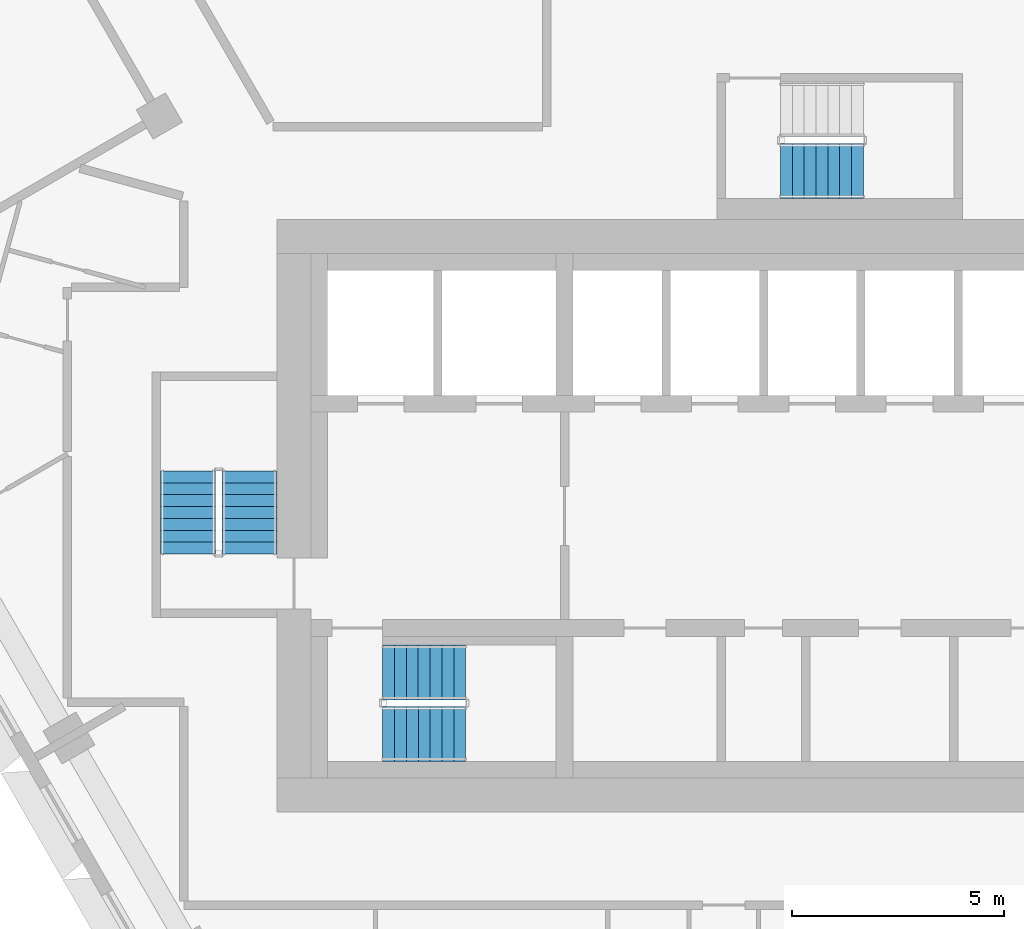
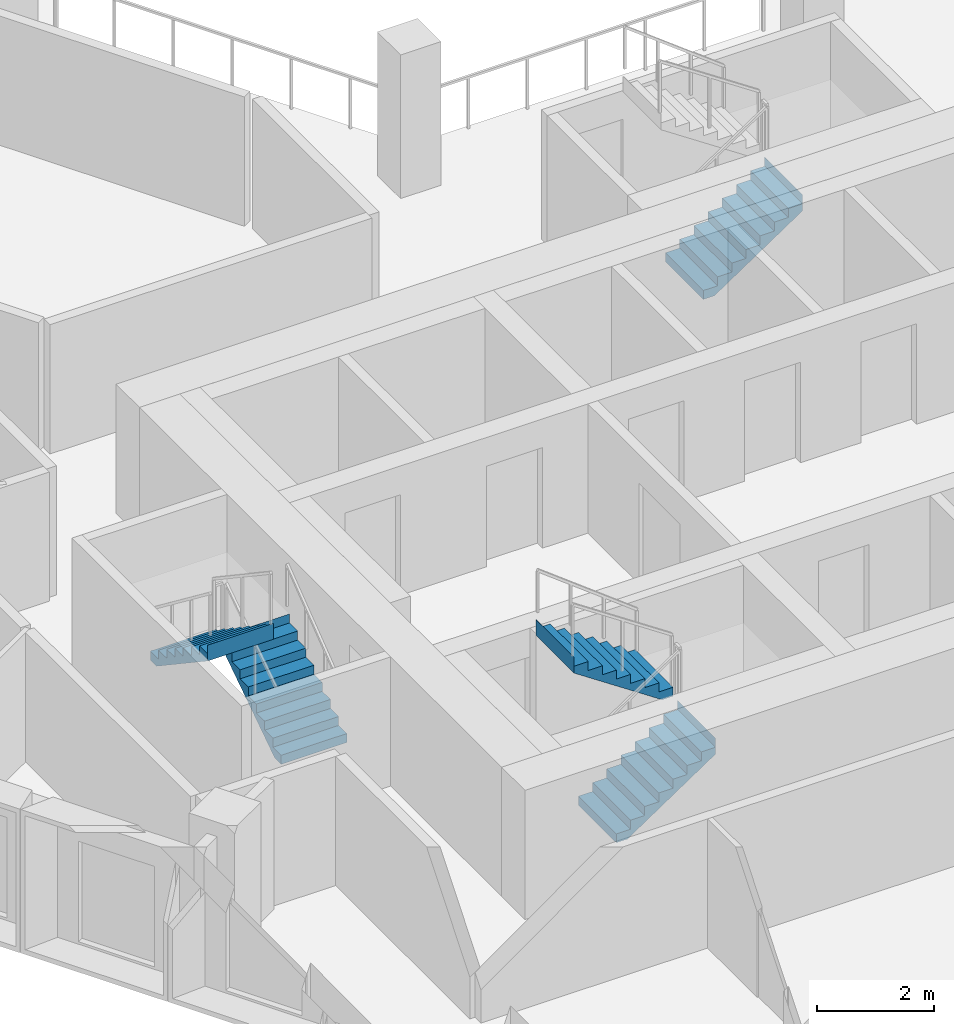
# One storey, part 12 of 17: 5 stair flights, 3 elements without a shape of their own.
"""IFC4 building model written with IfcOpenShell, lengths in metres."""

import ifcopenshell
import ifcopenshell.guid

model = None  # the IFC model being written
_history = None  # IfcOwnerHistory: only IFC2X3 demands one
_inside = {}  # id of a spatial element -> (the spatial element, [elements in it])
_under = {}  # id of a project, library or spatial element -> (it, [spatial elements below it])
_declared = {}  # id of a project -> (the project, [libraries it declares])
_typed = {}  # id of a type object -> (the type object, [elements of that type])
_made_of = {}  # id of a material, layer set ... -> (it, [elements and type objects made of it])


def new_model(schema):
    """Start an empty IFC model of exactly this schema.

    Asked for "IFC4X3", IfcOpenShell would pick the latest addendum, in which some entities
    have other attributes; the version numbers below select the first issue.
    IFC2X3 requires an IfcOwnerHistory on every rooted entity: one is made here for all.
    """
    global model, _history
    if schema == "IFC4X3":
        model = ifcopenshell.file(schema_version=(4, 3, 0, 0))
    else:
        model = ifcopenshell.file(schema=schema)
    _inside.clear()
    _under.clear()
    _declared.clear()
    _typed.clear()
    _made_of.clear()
    _history = None
    if model.schema == "IFC2X3":
        org = make("IfcOrganization", Name="unknown")
        user = make(
            "IfcPersonAndOrganization",
            ThePerson=make("IfcPerson", FamilyName="unknown"),
            TheOrganization=org,
        )
        app = make(
            "IfcApplication",
            ApplicationDeveloper=org,
            Version="unknown",
            ApplicationFullName="unknown",
            ApplicationIdentifier="unknown",
        )
        _history = make(
            "IfcOwnerHistory",
            OwningUser=user,
            OwningApplication=app,
            ChangeAction="ADDED",
            CreationDate=0,
        )
    return model


def make(cls, **values):
    """One entity of the class cls with the attributes given. An attribute that is None is left unset."""
    return model.create_entity(
        cls, **{name: value for name, value in values.items() if value is not None}
    )


def rooted(cls, **values):
    """An entity with a GlobalId (a new one), such as an element, a storey or a relation."""
    return make(cls, GlobalId=ifcopenshell.guid.new(), OwnerHistory=_history, **values)


def si_unit(unit_type, name, prefix=None):
    """IfcSIUnit, for example si_unit("LENGTHUNIT", "METRE", prefix="MILLI")."""
    return make("IfcSIUnit", UnitType=unit_type, Prefix=prefix, Name=name)


def assignment(units):
    """IfcUnitAssignment: the units of a project."""
    return None if units is None else make("IfcUnitAssignment", Units=units)


def point(xyz):
    """IfcCartesianPoint."""
    return None if xyz is None else make("IfcCartesianPoint", Coordinates=xyz)


def direction(xyz):
    """IfcDirection."""
    return None if xyz is None else make("IfcDirection", DirectionRatios=xyz)


def frame(location, z_axis=None, x_axis=None):
    """IfcAxis2Placement3D, a coordinate frame: its origin and axes. An axis left out is left unset."""
    return make(
        "IfcAxis2Placement3D",
        Location=point(location),
        Axis=direction(z_axis),
        RefDirection=direction(x_axis),
    )


def origin():
    """The frame at (0, 0, 0) with its axes left unset."""
    return frame((0.0, 0.0, 0.0))


def place(relative_to, where):
    """IfcLocalPlacement: puts the frame where relative to a parent placement (None: the world)."""
    return make(
        "IfcLocalPlacement", PlacementRelTo=relative_to, RelativePlacement=where
    )


def context(
    kind, dimensions, precision=None, world=None, true_north=None, identifier=None
):
    """IfcGeometricRepresentationContext, for example the 3D "Model" context."""
    return make(
        "IfcGeometricRepresentationContext",
        ContextIdentifier=identifier,
        ContextType=kind,
        CoordinateSpaceDimension=dimensions,
        Precision=precision,
        WorldCoordinateSystem=world,
        TrueNorth=true_north,
    )


def subcontext(parent, identifier, kind, view, scale=None):
    """IfcGeometricRepresentationSubContext, for example "Body" below "Model"."""
    return make(
        "IfcGeometricRepresentationSubContext",
        ContextIdentifier=identifier,
        ContextType=kind,
        ParentContext=parent,
        TargetScale=scale,
        TargetView=view,
    )


def project(units=None, contexts=None):
    """IfcProject with its units and contexts."""
    return rooted(
        "IfcProject",
        Name="project",
        RepresentationContexts=contexts,
        UnitsInContext=assignment(units),
    )


def spatial(cls, under=None, at=None, **own):
    """A site, building, storey or space (cls), placed at a placement, below another one or the project."""
    s = rooted(cls, ObjectPlacement=at, **own)
    if under is not None:
        _under.setdefault(under.id(), (under, []))[1].append(s)
    return s


def point_list(points):
    """IfcCartesianPointList2D or 3D."""
    cls = (
        "IfcCartesianPointList2D" if len(points[0]) == 2 else "IfcCartesianPointList3D"
    )
    return make(cls, CoordList=points)


def triangles(points, corners, closed=None, point_numbers=None):
    """IfcTriangulatedFaceSet: each triangle names its three corners, points numbered from 1."""
    return make(
        "IfcTriangulatedFaceSet",
        Coordinates=point_list(points),
        Closed=closed,
        CoordIndex=corners,
        PnIndex=point_numbers,
    )


def shape(context_of_items, identifier, shape_type, items):
    """IfcShapeRepresentation: the items that make up one representation, for example the "Body"."""
    return make(
        "IfcShapeRepresentation",
        ContextOfItems=context_of_items,
        RepresentationIdentifier=identifier,
        RepresentationType=shape_type,
        Items=items,
    )


def material(Name=None, Category=None):
    """IfcMaterial."""
    return make("IfcMaterial", Name=Name, Category=Category)


def made_of(thing, what):
    """Note that an element or type object is made of a material, layer set ...; save() writes the relation."""
    if what is not None:
        _made_of.setdefault(what.id(), (what, []))[1].append(thing)
    return thing


def type_object(cls, material=None, **own):
    """A type object (cls), such as IfcWallType, which elements share."""
    return made_of(rooted(cls, **own), material)


def element(
    cls,
    number,
    at=None,
    inside=None,
    cuts=None,
    type_object=None,
    material=None,
    context=None,
    identifier="Body",
    shape_type=None,
    held_by="IfcProductDefinitionShape",
    body=None,
    shapes=None,
    **own,
):
    """One element of the class cls, such as IfcWall. Its Tag is "e" and its number.

    at: its placement. inside: the storey or other place that contains it. cuts: it is an
    opening in that element (IfcRelVoidsElement). A single representation is given by context,
    identifier, shape_type and body (its items); several are given by shapes. held_by: the class
    of the entity that holds the representations. save() writes the other relations.
    """
    e = rooted(cls, Tag="e%d" % number, ObjectPlacement=at, **own)
    if body is not None:
        shapes = [shape(context, identifier, shape_type, body)]
    if shapes is not None:
        e.Representation = make(held_by, Representations=shapes)
    if inside is not None:
        _inside.setdefault(inside.id(), (inside, []))[1].append(e)
    if cuts is not None:
        rooted(
            "IfcRelVoidsElement", RelatingBuildingElement=cuts, RelatedOpeningElement=e
        )
    if type_object is not None:
        _typed.setdefault(type_object.id(), (type_object, []))[1].append(e)
    return made_of(e, material)


def aggregate(whole, parts):
    """IfcRelAggregates: a whole, such as a stair, and the parts it consists of."""
    return rooted("IfcRelAggregates", RelatingObject=whole, RelatedObjects=parts)


def save(model, path):
    """Write the relations noted so far, then the file.

    IfcRelAggregates (storeys below a building ...), IfcRelContainedInSpatialStructure (elements
    in a storey), IfcRelDefinesByType, IfcRelAssociatesMaterial and IfcRelDeclares: one each for
    every whole, place, type object, material and project.
    """
    for whole, parts in _under.values():
        aggregate(whole, parts)
    for where, things in _inside.values():
        rooted(
            "IfcRelContainedInSpatialStructure",
            RelatedElements=things,
            RelatingStructure=where,
        )
    for kind, things in _typed.values():
        rooted("IfcRelDefinesByType", RelatedObjects=things, RelatingType=kind)
    for what, things in _made_of.values():
        rooted("IfcRelAssociatesMaterial", RelatedObjects=things, RelatingMaterial=what)
    for by, libraries in _declared.values():
        rooted("IfcRelDeclares", RelatingContext=by, RelatedDefinitions=libraries)
    model.write(path)


model = new_model("IFC4")

# Units and contexts
model_context = context("Model", 3, precision=1e-05, world=origin(), true_north=direction((0.0, 1.0)))
body_context = subcontext(model_context, "Body", "Model", "MODEL_VIEW")
ifc_project = project(units=[si_unit("LENGTHUNIT", "METRE"), si_unit("AREAUNIT", "SQUARE_METRE"), si_unit("VOLUMEUNIT", "CUBIC_METRE"), si_unit("PLANEANGLEUNIT", "RADIAN"), si_unit("MASSUNIT", "GRAM", prefix="KILO")], contexts=[model_context])

# Site, building, storey
site_placement = place(None, origin())
site = spatial("IfcSite", under=ifc_project, at=site_placement, CompositionType="ELEMENT")
building_placement = place(site_placement, origin())
building = spatial("IfcBuilding", under=site, at=building_placement, Name="Beryl Residences", CompositionType="ELEMENT")
storey_placement = place(building_placement, frame((0.0, 0.0, 132.60009765625)))
storey = spatial("IfcBuildingStorey", under=building, at=storey_placement, Name="L40", CompositionType="ELEMENT", Elevation=132.60009765625)

# Stair, stair flights
ifc_material_1 = material(Name="Concrete C40/50", Category="concrete")
stair_type = type_object("IfcStairType", Name="ST1 protected exit stair, half-turn, 1300 mm flights", PredefinedType="HALF_TURN_STAIR", material=ifc_material_1)
stair_1_placement = place(storey_placement, origin())
stair_1 = element("IfcStair", 1, at=stair_1_placement, inside=storey, type_object=stair_type, Name="L40 PROTECTED EXIT STAIR ST-1", PredefinedType="HALF_TURN_STAIR")
ifc_material_2 = material(Name="Concrete C40/50", Category="concrete")
stair_flight_type = type_object("IfcStairFlightType", Name="SF1 stair flight 1300 mm", PredefinedType="STRAIGHT", material=ifc_material_2)
stair_flight_1_placement = place(storey_placement, frame((-10.800048828125, -17.14990234375, 0.0), z_axis=(0.0, 0.0, 1.0), x_axis=(1.0, 0.0, 0.0)))
stair_flight_1 = element("IfcStairFlight", 2, at=stair_flight_1_placement, type_object=stair_flight_type, Name="ST-1 flight 1", NumberOfRisers=8, NumberOfTreads=7, PredefinedType="STRAIGHT", RiserHeight=0.1875, TreadLength=0.28, context=body_context, shape_type="Tessellation", body=[
    triangles([(0.0, -0.64990234375, 0.0), (0.0, -0.324951171875, 0.0), (0.0, 0.0, 0.0), (0.0, 0.324951171875, 0.0), (0.0, 0.64990234375, 0.0), (0.0, -0.64990234375, 0.1875), (0.0, -0.324951171875, 0.1875), (0.0, 0.0, 0.1875), (0.0, 0.324951171875, 0.1875), (0.0, 0.64990234375, 0.1875), (0.280029296875, -0.64990234375, 0.1875), (0.280029296875, -0.324951171875, 0.1875), (0.280029296875, 0.0, 0.1875), (0.280029296875, 0.324951171875, 0.1875), (0.280029296875, 0.64990234375, 0.1875), (0.280029296875, -0.64990234375, 0.375), (0.280029296875, -0.324951171875, 0.375), (0.280029296875, 0.0, 0.375), (0.280029296875, 0.324951171875, 0.375), (0.280029296875, 0.64990234375, 0.375), (0.56005859375, -0.64990234375, 0.375), (0.56005859375, -0.324951171875, 0.375), (0.56005859375, 0.0, 0.375), (0.56005859375, 0.324951171875, 0.375), (0.56005859375, 0.64990234375, 0.375), (0.56005859375, -0.64990234375, 0.5625), (0.56005859375, -0.324951171875, 0.5625), (0.56005859375, 0.0, 0.5625), (0.56005859375, 0.324951171875, 0.5625), (0.56005859375, 0.64990234375, 0.5625), (0.840087890625, -0.64990234375, 0.5625), (0.840087890625, -0.324951171875, 0.5625), (0.840087890625, 0.0, 0.5625), (0.840087890625, 0.324951171875, 0.5625), (0.840087890625, 0.64990234375, 0.5625), (0.840087890625, -0.64990234375, 0.75), (0.840087890625, -0.324951171875, 0.75), (0.840087890625, 0.0, 0.75), (0.840087890625, 0.324951171875, 0.75), (0.840087890625, 0.64990234375, 0.75), (1.1201171875, -0.64990234375, 0.75), (1.1201171875, -0.324951171875, 0.75), (1.1201171875, 0.0, 0.75), (1.1201171875, 0.324951171875, 0.75), (1.1201171875, 0.64990234375, 0.75), (1.1201171875, -0.64990234375, 0.9375), (1.1201171875, -0.324951171875, 0.9375), (1.1201171875, 0.0, 0.9375), (1.1201171875, 0.324951171875, 0.9375), (1.1201171875, 0.64990234375, 0.9375), (1.39990234375, -0.64990234375, 0.9375), (1.39990234375, -0.324951171875, 0.9375), (1.39990234375, 0.0, 0.9375), (1.39990234375, 0.324951171875, 0.9375), (1.39990234375, 0.64990234375, 0.9375), (1.39990234375, -0.64990234375, 1.125), (1.39990234375, -0.324951171875, 1.125), (1.39990234375, 0.0, 1.125), (1.39990234375, 0.324951171875, 1.125), (1.39990234375, 0.64990234375, 1.125), (1.679931640625, -0.64990234375, 1.125), (1.679931640625, -0.324951171875, 1.125), (1.679931640625, 0.0, 1.125), (1.679931640625, 0.324951171875, 1.125), (1.679931640625, 0.64990234375, 1.125), (1.679931640625, -0.64990234375, 1.3125), (1.679931640625, -0.324951171875, 1.3125), (1.679931640625, 0.0, 1.3125), (1.679931640625, 0.324951171875, 1.3125), (1.679931640625, 0.64990234375, 1.3125), (1.9599609375, -0.64990234375, 1.3125), (1.9599609375, -0.324951171875, 1.3125), (1.9599609375, 0.0, 1.3125), (1.9599609375, 0.324951171875, 1.3125), (1.9599609375, 0.64990234375, 1.3125), (1.9599609375, -0.64990234375, 1.5), (1.9599609375, -0.324951171875, 1.5), (1.9599609375, 0.0, 1.5), (1.9599609375, 0.324951171875, 1.5), (1.9599609375, 0.64990234375, 1.5), (1.9609375, -0.64990234375, 1.5), (1.9609375, -0.324951171875, 1.5), (1.9609375, 0.0, 1.5), (1.9609375, 0.324951171875, 1.5), (1.9609375, 0.64990234375, 1.5), (1.9609375, -0.64990234375, 1.16796875), (1.9609375, -0.324951171875, 1.16796875), (1.9609375, 0.0, 1.16796875), (1.9609375, 0.324951171875, 1.16796875), (1.9609375, 0.64990234375, 1.16796875), (0.216796875, -0.64990234375, 0.0), (0.216796875, -0.324951171875, 0.0), (0.216796875, 0.0, 0.0), (0.216796875, 0.324951171875, 0.0), (0.216796875, 0.64990234375, 0.0)], [[1, 6, 7], [1, 7, 2], [2, 7, 8], [2, 8, 3], [3, 8, 9], [3, 9, 4], [4, 9, 10], [4, 10, 5], [6, 11, 12], [6, 12, 7], [7, 12, 13], [7, 13, 8], [8, 13, 14], [8, 14, 9], [9, 14, 15], [9, 15, 10], [11, 16, 17], [11, 17, 12], [12, 17, 18], [12, 18, 13], [13, 18, 19], [13, 19, 14], [14, 19, 20], [14, 20, 15], [16, 21, 22], [16, 22, 17], [17, 22, 23], [17, 23, 18], [18, 23, 24], [18, 24, 19], [19, 24, 25], [19, 25, 20], [21, 26, 27], [21, 27, 22], [22, 27, 28], [22, 28, 23], [23, 28, 29], [23, 29, 24], [24, 29, 30], [24, 30, 25], [26, 31, 32], [26, 32, 27], [27, 32, 33], [27, 33, 28], [28, 33, 34], [28, 34, 29], [29, 34, 35], [29, 35, 30], [31, 36, 37], [31, 37, 32], [32, 37, 38], [32, 38, 33], [33, 38, 39], [33, 39, 34], [34, 39, 40], [34, 40, 35], [36, 41, 42], [36, 42, 37], [37, 42, 43], [37, 43, 38], [38, 43, 44], [38, 44, 39], [39, 44, 45], [39, 45, 40], [41, 46, 47], [41, 47, 42], [42, 47, 48], [42, 48, 43], [43, 48, 49], [43, 49, 44], [44, 49, 50], [44, 50, 45], [46, 51, 52], [46, 52, 47], [47, 52, 53], [47, 53, 48], [48, 53, 54], [48, 54, 49], [49, 54, 55], [49, 55, 50], [51, 56, 57], [51, 57, 52], [52, 57, 58], [52, 58, 53], [53, 58, 59], [53, 59, 54], [54, 59, 60], [54, 60, 55], [56, 61, 62], [56, 62, 57], [57, 62, 63], [57, 63, 58], [58, 63, 64], [58, 64, 59], [59, 64, 65], [59, 65, 60], [61, 66, 67], [61, 67, 62], [62, 67, 68], [62, 68, 63], [63, 68, 69], [63, 69, 64], [64, 69, 70], [64, 70, 65], [66, 71, 72], [66, 72, 67], [67, 72, 73], [67, 73, 68], [68, 73, 74], [68, 74, 69], [69, 74, 75], [69, 75, 70], [71, 76, 77], [71, 77, 72], [72, 77, 78], [72, 78, 73], [73, 78, 79], [73, 79, 74], [74, 79, 80], [74, 80, 75], [76, 81, 82], [76, 82, 77], [77, 82, 83], [77, 83, 78], [78, 83, 84], [78, 84, 79], [79, 84, 85], [79, 85, 80], [81, 86, 87], [81, 87, 82], [82, 87, 88], [82, 88, 83], [83, 88, 89], [83, 89, 84], [84, 89, 90], [84, 90, 85], [86, 91, 92], [86, 92, 87], [87, 92, 93], [87, 93, 88], [88, 93, 94], [88, 94, 89], [89, 94, 95], [89, 95, 90], [91, 1, 2], [91, 2, 92], [92, 2, 3], [92, 3, 93], [93, 3, 4], [93, 4, 94], [94, 4, 5], [94, 5, 95], [1, 91, 86], [5, 90, 95], [86, 81, 76], [90, 80, 85], [86, 76, 71], [90, 75, 80], [86, 71, 66], [90, 70, 75], [86, 66, 61], [90, 65, 70], [61, 56, 51], [65, 55, 60], [86, 61, 51], [90, 55, 65], [51, 46, 41], [55, 45, 50], [86, 51, 41], [90, 45, 55], [41, 36, 31], [45, 35, 40], [86, 41, 31], [90, 35, 45], [31, 26, 21], [35, 25, 30], [86, 31, 21], [90, 25, 35], [21, 16, 11], [25, 15, 20], [86, 21, 11], [90, 15, 25], [1, 86, 11], [5, 15, 90], [11, 6, 1], [15, 5, 10]], closed=True),
])
stair_flight_2_placement = place(storey_placement, frame((-8.840087890625, -15.699951171875, 1.5), z_axis=(0.0, 0.0, 1.0), x_axis=(-1.0, 0.0, 0.0)))
stair_flight_2 = element("IfcStairFlight", 3, at=stair_flight_2_placement, type_object=stair_flight_type, Name="ST-1 flight 2", NumberOfRisers=8, NumberOfTreads=7, PredefinedType="STRAIGHT", RiserHeight=0.1875, TreadLength=0.28, context=body_context, shape_type="Tessellation", body=[
    triangles([(0.0, -0.64990234375, 0.0), (0.0, -0.324951171875, 0.0), (0.0, 0.0, 0.0), (0.0, 0.324951171875, 0.0), (0.0, 0.64990234375, 0.0), (0.0, -0.64990234375, 0.1875), (0.0, -0.324951171875, 0.1875), (0.0, 0.0, 0.1875), (0.0, 0.324951171875, 0.1875), (0.0, 0.64990234375, 0.1875), (0.280029296875, -0.64990234375, 0.1875), (0.280029296875, -0.324951171875, 0.1875), (0.280029296875, 0.0, 0.1875), (0.280029296875, 0.324951171875, 0.1875), (0.280029296875, 0.64990234375, 0.1875), (0.280029296875, -0.64990234375, 0.375), (0.280029296875, -0.324951171875, 0.375), (0.280029296875, 0.0, 0.375), (0.280029296875, 0.324951171875, 0.375), (0.280029296875, 0.64990234375, 0.375), (0.56005859375, -0.64990234375, 0.375), (0.56005859375, -0.324951171875, 0.375), (0.56005859375, 0.0, 0.375), (0.56005859375, 0.324951171875, 0.375), (0.56005859375, 0.64990234375, 0.375), (0.56005859375, -0.64990234375, 0.5625), (0.56005859375, -0.324951171875, 0.5625), (0.56005859375, 0.0, 0.5625), (0.56005859375, 0.324951171875, 0.5625), (0.56005859375, 0.64990234375, 0.5625), (0.840087890625, -0.64990234375, 0.5625), (0.840087890625, -0.324951171875, 0.5625), (0.840087890625, 0.0, 0.5625), (0.840087890625, 0.324951171875, 0.5625), (0.840087890625, 0.64990234375, 0.5625), (0.840087890625, -0.64990234375, 0.75), (0.840087890625, -0.324951171875, 0.75), (0.840087890625, 0.0, 0.75), (0.840087890625, 0.324951171875, 0.75), (0.840087890625, 0.64990234375, 0.75), (1.1201171875, -0.64990234375, 0.75), (1.1201171875, -0.324951171875, 0.75), (1.1201171875, 0.0, 0.75), (1.1201171875, 0.324951171875, 0.75), (1.1201171875, 0.64990234375, 0.75), (1.1201171875, -0.64990234375, 0.9375), (1.1201171875, -0.324951171875, 0.9375), (1.1201171875, 0.0, 0.9375), (1.1201171875, 0.324951171875, 0.9375), (1.1201171875, 0.64990234375, 0.9375), (1.39990234375, -0.64990234375, 0.9375), (1.39990234375, -0.324951171875, 0.9375), (1.39990234375, 0.0, 0.9375), (1.39990234375, 0.324951171875, 0.9375), (1.39990234375, 0.64990234375, 0.9375), (1.39990234375, -0.64990234375, 1.125), (1.39990234375, -0.324951171875, 1.125), (1.39990234375, 0.0, 1.125), (1.39990234375, 0.324951171875, 1.125), (1.39990234375, 0.64990234375, 1.125), (1.679931640625, -0.64990234375, 1.125), (1.679931640625, -0.324951171875, 1.125), (1.679931640625, 0.0, 1.125), (1.679931640625, 0.324951171875, 1.125), (1.679931640625, 0.64990234375, 1.125), (1.679931640625, -0.64990234375, 1.3125), (1.679931640625, -0.324951171875, 1.3125), (1.679931640625, 0.0, 1.3125), (1.679931640625, 0.324951171875, 1.3125), (1.679931640625, 0.64990234375, 1.3125), (1.9599609375, -0.64990234375, 1.3125), (1.9599609375, -0.324951171875, 1.3125), (1.9599609375, 0.0, 1.3125), (1.9599609375, 0.324951171875, 1.3125), (1.9599609375, 0.64990234375, 1.3125), (1.9599609375, -0.64990234375, 1.5), (1.9599609375, -0.324951171875, 1.5), (1.9599609375, 0.0, 1.5), (1.9599609375, 0.324951171875, 1.5), (1.9599609375, 0.64990234375, 1.5), (1.9609375, -0.64990234375, 1.5), (1.9609375, -0.324951171875, 1.5), (1.9609375, 0.0, 1.5), (1.9609375, 0.324951171875, 1.5), (1.9609375, 0.64990234375, 1.5), (1.9609375, -0.64990234375, 1.16796875), (1.9609375, -0.324951171875, 1.16796875), (1.9609375, 0.0, 1.16796875), (1.9609375, 0.324951171875, 1.16796875), (1.9609375, 0.64990234375, 1.16796875), (0.216796875, -0.64990234375, 0.0), (0.216796875, -0.324951171875, 0.0), (0.216796875, 0.0, 0.0), (0.216796875, 0.324951171875, 0.0), (0.216796875, 0.64990234375, 0.0)], [[1, 6, 7], [1, 7, 2], [2, 7, 8], [2, 8, 3], [3, 8, 9], [3, 9, 4], [4, 9, 10], [4, 10, 5], [6, 11, 12], [6, 12, 7], [7, 12, 13], [7, 13, 8], [8, 13, 14], [8, 14, 9], [9, 14, 15], [9, 15, 10], [11, 16, 17], [11, 17, 12], [12, 17, 18], [12, 18, 13], [13, 18, 19], [13, 19, 14], [14, 19, 20], [14, 20, 15], [16, 21, 22], [16, 22, 17], [17, 22, 23], [17, 23, 18], [18, 23, 24], [18, 24, 19], [19, 24, 25], [19, 25, 20], [21, 26, 27], [21, 27, 22], [22, 27, 28], [22, 28, 23], [23, 28, 29], [23, 29, 24], [24, 29, 30], [24, 30, 25], [26, 31, 32], [26, 32, 27], [27, 32, 33], [27, 33, 28], [28, 33, 34], [28, 34, 29], [29, 34, 35], [29, 35, 30], [31, 36, 37], [31, 37, 32], [32, 37, 38], [32, 38, 33], [33, 38, 39], [33, 39, 34], [34, 39, 40], [34, 40, 35], [36, 41, 42], [36, 42, 37], [37, 42, 43], [37, 43, 38], [38, 43, 44], [38, 44, 39], [39, 44, 45], [39, 45, 40], [41, 46, 47], [41, 47, 42], [42, 47, 48], [42, 48, 43], [43, 48, 49], [43, 49, 44], [44, 49, 50], [44, 50, 45], [46, 51, 52], [46, 52, 47], [47, 52, 53], [47, 53, 48], [48, 53, 54], [48, 54, 49], [49, 54, 55], [49, 55, 50], [51, 56, 57], [51, 57, 52], [52, 57, 58], [52, 58, 53], [53, 58, 59], [53, 59, 54], [54, 59, 60], [54, 60, 55], [56, 61, 62], [56, 62, 57], [57, 62, 63], [57, 63, 58], [58, 63, 64], [58, 64, 59], [59, 64, 65], [59, 65, 60], [61, 66, 67], [61, 67, 62], [62, 67, 68], [62, 68, 63], [63, 68, 69], [63, 69, 64], [64, 69, 70], [64, 70, 65], [66, 71, 72], [66, 72, 67], [67, 72, 73], [67, 73, 68], [68, 73, 74], [68, 74, 69], [69, 74, 75], [69, 75, 70], [71, 76, 77], [71, 77, 72], [72, 77, 78], [72, 78, 73], [73, 78, 79], [73, 79, 74], [74, 79, 80], [74, 80, 75], [76, 81, 82], [76, 82, 77], [77, 82, 83], [77, 83, 78], [78, 83, 84], [78, 84, 79], [79, 84, 85], [79, 85, 80], [81, 86, 87], [81, 87, 82], [82, 87, 88], [82, 88, 83], [83, 88, 89], [83, 89, 84], [84, 89, 90], [84, 90, 85], [86, 91, 92], [86, 92, 87], [87, 92, 93], [87, 93, 88], [88, 93, 94], [88, 94, 89], [89, 94, 95], [89, 95, 90], [91, 1, 2], [91, 2, 92], [92, 2, 3], [92, 3, 93], [93, 3, 4], [93, 4, 94], [94, 4, 5], [94, 5, 95], [1, 91, 86], [5, 90, 95], [86, 81, 76], [90, 80, 85], [86, 76, 71], [90, 75, 80], [86, 71, 66], [90, 70, 75], [86, 66, 61], [90, 65, 70], [61, 56, 51], [65, 55, 60], [86, 61, 51], [90, 55, 65], [51, 46, 41], [55, 45, 50], [86, 51, 41], [90, 45, 55], [41, 36, 31], [45, 35, 40], [86, 41, 31], [90, 35, 45], [31, 26, 21], [35, 25, 30], [86, 31, 21], [90, 25, 35], [21, 16, 11], [25, 15, 20], [86, 21, 11], [90, 15, 25], [1, 86, 11], [5, 15, 90], [11, 6, 1], [15, 5, 10]], closed=True),
])
aggregate(stair_1, [stair_flight_1, stair_flight_2])

stair_2_placement = place(storey_placement, origin())
stair_2 = element("IfcStair", 4, at=stair_2_placement, inside=storey, type_object=stair_type, Name="L40 PROTECTED EXIT STAIR ST-2", PredefinedType="HALF_TURN_STAIR")
stair_flight_3_placement = place(storey_placement, frame((-13.949951171875, -12.89990234375, 0.0), z_axis=(0.0, 0.0, 1.0), x_axis=(0.0, 1.0, 0.0)))
stair_flight_3 = element("IfcStairFlight", 5, at=stair_flight_3_placement, type_object=stair_flight_type, Name="ST-2 flight 1", NumberOfRisers=8, NumberOfTreads=7, PredefinedType="STRAIGHT", RiserHeight=0.1875, TreadLength=0.28, context=body_context, shape_type="Tessellation", body=[
    triangles([(0.0, -0.64990234375, 0.0), (0.0, -0.324951171875, 0.0), (0.0, 0.0, 0.0), (0.0, 0.324951171875, 0.0), (0.0, 0.64990234375, 0.0), (0.0, -0.64990234375, 0.1875), (0.0, -0.324951171875, 0.1875), (0.0, 0.0, 0.1875), (0.0, 0.324951171875, 0.1875), (0.0, 0.64990234375, 0.1875), (0.280029296875, -0.64990234375, 0.1875), (0.280029296875, -0.324951171875, 0.1875), (0.280029296875, 0.0, 0.1875), (0.280029296875, 0.324951171875, 0.1875), (0.280029296875, 0.64990234375, 0.1875), (0.280029296875, -0.64990234375, 0.375), (0.280029296875, -0.324951171875, 0.375), (0.280029296875, 0.0, 0.375), (0.280029296875, 0.324951171875, 0.375), (0.280029296875, 0.64990234375, 0.375), (0.56005859375, -0.64990234375, 0.375), (0.56005859375, -0.324951171875, 0.375), (0.56005859375, 0.0, 0.375), (0.56005859375, 0.324951171875, 0.375), (0.56005859375, 0.64990234375, 0.375), (0.56005859375, -0.64990234375, 0.5625), (0.56005859375, -0.324951171875, 0.5625), (0.56005859375, 0.0, 0.5625), (0.56005859375, 0.324951171875, 0.5625), (0.56005859375, 0.64990234375, 0.5625), (0.840087890625, -0.64990234375, 0.5625), (0.840087890625, -0.324951171875, 0.5625), (0.840087890625, 0.0, 0.5625), (0.840087890625, 0.324951171875, 0.5625), (0.840087890625, 0.64990234375, 0.5625), (0.840087890625, -0.64990234375, 0.75), (0.840087890625, -0.324951171875, 0.75), (0.840087890625, 0.0, 0.75), (0.840087890625, 0.324951171875, 0.75), (0.840087890625, 0.64990234375, 0.75), (1.1201171875, -0.64990234375, 0.75), (1.1201171875, -0.324951171875, 0.75), (1.1201171875, 0.0, 0.75), (1.1201171875, 0.324951171875, 0.75), (1.1201171875, 0.64990234375, 0.75), (1.1201171875, -0.64990234375, 0.9375), (1.1201171875, -0.324951171875, 0.9375), (1.1201171875, 0.0, 0.9375), (1.1201171875, 0.324951171875, 0.9375), (1.1201171875, 0.64990234375, 0.9375), (1.39990234375, -0.64990234375, 0.9375), (1.39990234375, -0.324951171875, 0.9375), (1.39990234375, 0.0, 0.9375), (1.39990234375, 0.324951171875, 0.9375), (1.39990234375, 0.64990234375, 0.9375), (1.39990234375, -0.64990234375, 1.125), (1.39990234375, -0.324951171875, 1.125), (1.39990234375, 0.0, 1.125), (1.39990234375, 0.324951171875, 1.125), (1.39990234375, 0.64990234375, 1.125), (1.679931640625, -0.64990234375, 1.125), (1.679931640625, -0.324951171875, 1.125), (1.679931640625, 0.0, 1.125), (1.679931640625, 0.324951171875, 1.125), (1.679931640625, 0.64990234375, 1.125), (1.679931640625, -0.64990234375, 1.3125), (1.679931640625, -0.324951171875, 1.3125), (1.679931640625, 0.0, 1.3125), (1.679931640625, 0.324951171875, 1.3125), (1.679931640625, 0.64990234375, 1.3125), (1.9599609375, -0.64990234375, 1.3125), (1.9599609375, -0.324951171875, 1.3125), (1.9599609375, 0.0, 1.3125), (1.9599609375, 0.324951171875, 1.3125), (1.9599609375, 0.64990234375, 1.3125), (1.9599609375, -0.64990234375, 1.5), (1.9599609375, -0.324951171875, 1.5), (1.9599609375, 0.0, 1.5), (1.9599609375, 0.324951171875, 1.5), (1.9599609375, 0.64990234375, 1.5), (1.9609375, -0.64990234375, 1.5), (1.9609375, -0.324951171875, 1.5), (1.9609375, 0.0, 1.5), (1.9609375, 0.324951171875, 1.5), (1.9609375, 0.64990234375, 1.5), (1.9609375, -0.64990234375, 1.16796875), (1.9609375, -0.324951171875, 1.16796875), (1.9609375, 0.0, 1.16796875), (1.9609375, 0.324951171875, 1.16796875), (1.9609375, 0.64990234375, 1.16796875), (0.216796875, -0.64990234375, 0.0), (0.216796875, -0.324951171875, 0.0), (0.216796875, 0.0, 0.0), (0.216796875, 0.324951171875, 0.0), (0.216796875, 0.64990234375, 0.0)], [[1, 6, 7], [1, 7, 2], [2, 7, 8], [2, 8, 3], [3, 8, 9], [3, 9, 4], [4, 9, 10], [4, 10, 5], [6, 11, 12], [6, 12, 7], [7, 12, 13], [7, 13, 8], [8, 13, 14], [8, 14, 9], [9, 14, 15], [9, 15, 10], [11, 16, 17], [11, 17, 12], [12, 17, 18], [12, 18, 13], [13, 18, 19], [13, 19, 14], [14, 19, 20], [14, 20, 15], [16, 21, 22], [16, 22, 17], [17, 22, 23], [17, 23, 18], [18, 23, 24], [18, 24, 19], [19, 24, 25], [19, 25, 20], [21, 26, 27], [21, 27, 22], [22, 27, 28], [22, 28, 23], [23, 28, 29], [23, 29, 24], [24, 29, 30], [24, 30, 25], [26, 31, 32], [26, 32, 27], [27, 32, 33], [27, 33, 28], [28, 33, 34], [28, 34, 29], [29, 34, 35], [29, 35, 30], [31, 36, 37], [31, 37, 32], [32, 37, 38], [32, 38, 33], [33, 38, 39], [33, 39, 34], [34, 39, 40], [34, 40, 35], [36, 41, 42], [36, 42, 37], [37, 42, 43], [37, 43, 38], [38, 43, 44], [38, 44, 39], [39, 44, 45], [39, 45, 40], [41, 46, 47], [41, 47, 42], [42, 47, 48], [42, 48, 43], [43, 48, 49], [43, 49, 44], [44, 49, 50], [44, 50, 45], [46, 51, 52], [46, 52, 47], [47, 52, 53], [47, 53, 48], [48, 53, 54], [48, 54, 49], [49, 54, 55], [49, 55, 50], [51, 56, 57], [51, 57, 52], [52, 57, 58], [52, 58, 53], [53, 58, 59], [53, 59, 54], [54, 59, 60], [54, 60, 55], [56, 61, 62], [56, 62, 57], [57, 62, 63], [57, 63, 58], [58, 63, 64], [58, 64, 59], [59, 64, 65], [59, 65, 60], [61, 66, 67], [61, 67, 62], [62, 67, 68], [62, 68, 63], [63, 68, 69], [63, 69, 64], [64, 69, 70], [64, 70, 65], [66, 71, 72], [66, 72, 67], [67, 72, 73], [67, 73, 68], [68, 73, 74], [68, 74, 69], [69, 74, 75], [69, 75, 70], [71, 76, 77], [71, 77, 72], [72, 77, 78], [72, 78, 73], [73, 78, 79], [73, 79, 74], [74, 79, 80], [74, 80, 75], [76, 81, 82], [76, 82, 77], [77, 82, 83], [77, 83, 78], [78, 83, 84], [78, 84, 79], [79, 84, 85], [79, 85, 80], [81, 86, 87], [81, 87, 82], [82, 87, 88], [82, 88, 83], [83, 88, 89], [83, 89, 84], [84, 89, 90], [84, 90, 85], [86, 91, 92], [86, 92, 87], [87, 92, 93], [87, 93, 88], [88, 93, 94], [88, 94, 89], [89, 94, 95], [89, 95, 90], [91, 1, 2], [91, 2, 92], [92, 2, 3], [92, 3, 93], [93, 3, 4], [93, 4, 94], [94, 4, 5], [94, 5, 95], [1, 91, 86], [5, 90, 95], [86, 81, 76], [90, 80, 85], [86, 76, 71], [90, 75, 80], [86, 71, 66], [90, 70, 75], [86, 66, 61], [90, 65, 70], [61, 56, 51], [65, 55, 60], [86, 61, 51], [90, 55, 65], [51, 46, 41], [55, 45, 50], [86, 51, 41], [90, 45, 55], [41, 36, 31], [45, 35, 40], [86, 41, 31], [90, 35, 45], [31, 26, 21], [35, 25, 30], [86, 31, 21], [90, 25, 35], [21, 16, 11], [25, 15, 20], [86, 21, 11], [90, 15, 25], [1, 86, 11], [5, 15, 90], [11, 6, 1], [15, 5, 10]], closed=True),
])
stair_flight_4_placement = place(storey_placement, frame((-15.39990234375, -10.93994140625, 1.5), z_axis=(0.0, 0.0, 1.0), x_axis=(0.0, -1.0, 0.0)))
stair_flight_4 = element("IfcStairFlight", 6, at=stair_flight_4_placement, type_object=stair_flight_type, Name="ST-2 flight 2", NumberOfRisers=8, NumberOfTreads=7, PredefinedType="STRAIGHT", RiserHeight=0.1875, TreadLength=0.28, context=body_context, shape_type="Tessellation", body=[
    triangles([(0.0, -0.64990234375, 0.0), (0.0, -0.324951171875, 0.0), (0.0, 0.0, 0.0), (0.0, 0.324951171875, 0.0), (0.0, 0.64990234375, 0.0), (0.0, -0.64990234375, 0.1875), (0.0, -0.324951171875, 0.1875), (0.0, 0.0, 0.1875), (0.0, 0.324951171875, 0.1875), (0.0, 0.64990234375, 0.1875), (0.280029296875, -0.64990234375, 0.1875), (0.280029296875, -0.324951171875, 0.1875), (0.280029296875, 0.0, 0.1875), (0.280029296875, 0.324951171875, 0.1875), (0.280029296875, 0.64990234375, 0.1875), (0.280029296875, -0.64990234375, 0.375), (0.280029296875, -0.324951171875, 0.375), (0.280029296875, 0.0, 0.375), (0.280029296875, 0.324951171875, 0.375), (0.280029296875, 0.64990234375, 0.375), (0.56005859375, -0.64990234375, 0.375), (0.56005859375, -0.324951171875, 0.375), (0.56005859375, 0.0, 0.375), (0.56005859375, 0.324951171875, 0.375), (0.56005859375, 0.64990234375, 0.375), (0.56005859375, -0.64990234375, 0.5625), (0.56005859375, -0.324951171875, 0.5625), (0.56005859375, 0.0, 0.5625), (0.56005859375, 0.324951171875, 0.5625), (0.56005859375, 0.64990234375, 0.5625), (0.840087890625, -0.64990234375, 0.5625), (0.840087890625, -0.324951171875, 0.5625), (0.840087890625, 0.0, 0.5625), (0.840087890625, 0.324951171875, 0.5625), (0.840087890625, 0.64990234375, 0.5625), (0.840087890625, -0.64990234375, 0.75), (0.840087890625, -0.324951171875, 0.75), (0.840087890625, 0.0, 0.75), (0.840087890625, 0.324951171875, 0.75), (0.840087890625, 0.64990234375, 0.75), (1.1201171875, -0.64990234375, 0.75), (1.1201171875, -0.324951171875, 0.75), (1.1201171875, 0.0, 0.75), (1.1201171875, 0.324951171875, 0.75), (1.1201171875, 0.64990234375, 0.75), (1.1201171875, -0.64990234375, 0.9375), (1.1201171875, -0.324951171875, 0.9375), (1.1201171875, 0.0, 0.9375), (1.1201171875, 0.324951171875, 0.9375), (1.1201171875, 0.64990234375, 0.9375), (1.39990234375, -0.64990234375, 0.9375), (1.39990234375, -0.324951171875, 0.9375), (1.39990234375, 0.0, 0.9375), (1.39990234375, 0.324951171875, 0.9375), (1.39990234375, 0.64990234375, 0.9375), (1.39990234375, -0.64990234375, 1.125), (1.39990234375, -0.324951171875, 1.125), (1.39990234375, 0.0, 1.125), (1.39990234375, 0.324951171875, 1.125), (1.39990234375, 0.64990234375, 1.125), (1.679931640625, -0.64990234375, 1.125), (1.679931640625, -0.324951171875, 1.125), (1.679931640625, 0.0, 1.125), (1.679931640625, 0.324951171875, 1.125), (1.679931640625, 0.64990234375, 1.125), (1.679931640625, -0.64990234375, 1.3125), (1.679931640625, -0.324951171875, 1.3125), (1.679931640625, 0.0, 1.3125), (1.679931640625, 0.324951171875, 1.3125), (1.679931640625, 0.64990234375, 1.3125), (1.9599609375, -0.64990234375, 1.3125), (1.9599609375, -0.324951171875, 1.3125), (1.9599609375, 0.0, 1.3125), (1.9599609375, 0.324951171875, 1.3125), (1.9599609375, 0.64990234375, 1.3125), (1.9599609375, -0.64990234375, 1.5), (1.9599609375, -0.324951171875, 1.5), (1.9599609375, 0.0, 1.5), (1.9599609375, 0.324951171875, 1.5), (1.9599609375, 0.64990234375, 1.5), (1.9609375, -0.64990234375, 1.5), (1.9609375, -0.324951171875, 1.5), (1.9609375, 0.0, 1.5), (1.9609375, 0.324951171875, 1.5), (1.9609375, 0.64990234375, 1.5), (1.9609375, -0.64990234375, 1.16796875), (1.9609375, -0.324951171875, 1.16796875), (1.9609375, 0.0, 1.16796875), (1.9609375, 0.324951171875, 1.16796875), (1.9609375, 0.64990234375, 1.16796875), (0.216796875, -0.64990234375, 0.0), (0.216796875, -0.324951171875, 0.0), (0.216796875, 0.0, 0.0), (0.216796875, 0.324951171875, 0.0), (0.216796875, 0.64990234375, 0.0)], [[1, 6, 7], [1, 7, 2], [2, 7, 8], [2, 8, 3], [3, 8, 9], [3, 9, 4], [4, 9, 10], [4, 10, 5], [6, 11, 12], [6, 12, 7], [7, 12, 13], [7, 13, 8], [8, 13, 14], [8, 14, 9], [9, 14, 15], [9, 15, 10], [11, 16, 17], [11, 17, 12], [12, 17, 18], [12, 18, 13], [13, 18, 19], [13, 19, 14], [14, 19, 20], [14, 20, 15], [16, 21, 22], [16, 22, 17], [17, 22, 23], [17, 23, 18], [18, 23, 24], [18, 24, 19], [19, 24, 25], [19, 25, 20], [21, 26, 27], [21, 27, 22], [22, 27, 28], [22, 28, 23], [23, 28, 29], [23, 29, 24], [24, 29, 30], [24, 30, 25], [26, 31, 32], [26, 32, 27], [27, 32, 33], [27, 33, 28], [28, 33, 34], [28, 34, 29], [29, 34, 35], [29, 35, 30], [31, 36, 37], [31, 37, 32], [32, 37, 38], [32, 38, 33], [33, 38, 39], [33, 39, 34], [34, 39, 40], [34, 40, 35], [36, 41, 42], [36, 42, 37], [37, 42, 43], [37, 43, 38], [38, 43, 44], [38, 44, 39], [39, 44, 45], [39, 45, 40], [41, 46, 47], [41, 47, 42], [42, 47, 48], [42, 48, 43], [43, 48, 49], [43, 49, 44], [44, 49, 50], [44, 50, 45], [46, 51, 52], [46, 52, 47], [47, 52, 53], [47, 53, 48], [48, 53, 54], [48, 54, 49], [49, 54, 55], [49, 55, 50], [51, 56, 57], [51, 57, 52], [52, 57, 58], [52, 58, 53], [53, 58, 59], [53, 59, 54], [54, 59, 60], [54, 60, 55], [56, 61, 62], [56, 62, 57], [57, 62, 63], [57, 63, 58], [58, 63, 64], [58, 64, 59], [59, 64, 65], [59, 65, 60], [61, 66, 67], [61, 67, 62], [62, 67, 68], [62, 68, 63], [63, 68, 69], [63, 69, 64], [64, 69, 70], [64, 70, 65], [66, 71, 72], [66, 72, 67], [67, 72, 73], [67, 73, 68], [68, 73, 74], [68, 74, 69], [69, 74, 75], [69, 75, 70], [71, 76, 77], [71, 77, 72], [72, 77, 78], [72, 78, 73], [73, 78, 79], [73, 79, 74], [74, 79, 80], [74, 80, 75], [76, 81, 82], [76, 82, 77], [77, 82, 83], [77, 83, 78], [78, 83, 84], [78, 84, 79], [79, 84, 85], [79, 85, 80], [81, 86, 87], [81, 87, 82], [82, 87, 88], [82, 88, 83], [83, 88, 89], [83, 89, 84], [84, 89, 90], [84, 90, 85], [86, 91, 92], [86, 92, 87], [87, 92, 93], [87, 93, 88], [88, 93, 94], [88, 94, 89], [89, 94, 95], [89, 95, 90], [91, 1, 2], [91, 2, 92], [92, 2, 3], [92, 3, 93], [93, 3, 4], [93, 4, 94], [94, 4, 5], [94, 5, 95], [1, 91, 86], [5, 90, 95], [86, 81, 76], [90, 80, 85], [86, 76, 71], [90, 75, 80], [86, 71, 66], [90, 70, 75], [86, 66, 61], [90, 65, 70], [61, 56, 51], [65, 55, 60], [86, 61, 51], [90, 55, 65], [51, 46, 41], [55, 45, 50], [86, 51, 41], [90, 45, 55], [41, 36, 31], [45, 35, 40], [86, 41, 31], [90, 35, 45], [31, 26, 21], [35, 25, 30], [86, 31, 21], [90, 25, 35], [21, 16, 11], [25, 15, 20], [86, 21, 11], [90, 15, 25], [1, 86, 11], [5, 15, 90], [11, 6, 1], [15, 5, 10]], closed=True),
])
aggregate(stair_2, [stair_flight_3, stair_flight_4])

# Stair, stair flight
stair_3_placement = place(storey_placement, origin())
stair_3 = element("IfcStair", 7, at=stair_3_placement, inside=storey, type_object=stair_type, Name="L40 PROTECTED EXIT STAIR ST-4", PredefinedType="HALF_TURN_STAIR")
stair_flight_5_placement = place(storey_placement, frame((-1.39990234375, -3.85009765625, 0.0), z_axis=(0.0, 0.0, 1.0), x_axis=(1.0, 0.0, 0.0)))
stair_flight_5 = element("IfcStairFlight", 8, at=stair_flight_5_placement, type_object=stair_flight_type, Name="ST-4 flight 1", NumberOfRisers=8, NumberOfTreads=7, PredefinedType="STRAIGHT", RiserHeight=0.1875, TreadLength=0.28, context=body_context, shape_type="Tessellation", body=[
    triangles([(0.0, -0.64990234375, 0.0), (0.0, -0.324951171875, 0.0), (0.0, 0.0, 0.0), (0.0, 0.324951171875, 0.0), (0.0, 0.64990234375, 0.0), (0.0, -0.64990234375, 0.1875), (0.0, -0.324951171875, 0.1875), (0.0, 0.0, 0.1875), (0.0, 0.324951171875, 0.1875), (0.0, 0.64990234375, 0.1875), (0.280029296875, -0.64990234375, 0.1875), (0.280029296875, -0.324951171875, 0.1875), (0.280029296875, 0.0, 0.1875), (0.280029296875, 0.324951171875, 0.1875), (0.280029296875, 0.64990234375, 0.1875), (0.280029296875, -0.64990234375, 0.375), (0.280029296875, -0.324951171875, 0.375), (0.280029296875, 0.0, 0.375), (0.280029296875, 0.324951171875, 0.375), (0.280029296875, 0.64990234375, 0.375), (0.56005859375, -0.64990234375, 0.375), (0.56005859375, -0.324951171875, 0.375), (0.56005859375, 0.0, 0.375), (0.56005859375, 0.324951171875, 0.375), (0.56005859375, 0.64990234375, 0.375), (0.56005859375, -0.64990234375, 0.5625), (0.56005859375, -0.324951171875, 0.5625), (0.56005859375, 0.0, 0.5625), (0.56005859375, 0.324951171875, 0.5625), (0.56005859375, 0.64990234375, 0.5625), (0.840087890625, -0.64990234375, 0.5625), (0.840087890625, -0.324951171875, 0.5625), (0.840087890625, 0.0, 0.5625), (0.840087890625, 0.324951171875, 0.5625), (0.840087890625, 0.64990234375, 0.5625), (0.840087890625, -0.64990234375, 0.75), (0.840087890625, -0.324951171875, 0.75), (0.840087890625, 0.0, 0.75), (0.840087890625, 0.324951171875, 0.75), (0.840087890625, 0.64990234375, 0.75), (1.1201171875, -0.64990234375, 0.75), (1.1201171875, -0.324951171875, 0.75), (1.1201171875, 0.0, 0.75), (1.1201171875, 0.324951171875, 0.75), (1.1201171875, 0.64990234375, 0.75), (1.1201171875, -0.64990234375, 0.9375), (1.1201171875, -0.324951171875, 0.9375), (1.1201171875, 0.0, 0.9375), (1.1201171875, 0.324951171875, 0.9375), (1.1201171875, 0.64990234375, 0.9375), (1.39990234375, -0.64990234375, 0.9375), (1.39990234375, -0.324951171875, 0.9375), (1.39990234375, 0.0, 0.9375), (1.39990234375, 0.324951171875, 0.9375), (1.39990234375, 0.64990234375, 0.9375), (1.39990234375, -0.64990234375, 1.125), (1.39990234375, -0.324951171875, 1.125), (1.39990234375, 0.0, 1.125), (1.39990234375, 0.324951171875, 1.125), (1.39990234375, 0.64990234375, 1.125), (1.679931640625, -0.64990234375, 1.125), (1.679931640625, -0.324951171875, 1.125), (1.679931640625, 0.0, 1.125), (1.679931640625, 0.324951171875, 1.125), (1.679931640625, 0.64990234375, 1.125), (1.679931640625, -0.64990234375, 1.3125), (1.679931640625, -0.324951171875, 1.3125), (1.679931640625, 0.0, 1.3125), (1.679931640625, 0.324951171875, 1.3125), (1.679931640625, 0.64990234375, 1.3125), (1.9599609375, -0.64990234375, 1.3125), (1.9599609375, -0.324951171875, 1.3125), (1.9599609375, 0.0, 1.3125), (1.9599609375, 0.324951171875, 1.3125), (1.9599609375, 0.64990234375, 1.3125), (1.9599609375, -0.64990234375, 1.5), (1.9599609375, -0.324951171875, 1.5), (1.9599609375, 0.0, 1.5), (1.9599609375, 0.324951171875, 1.5), (1.9599609375, 0.64990234375, 1.5), (1.9609375, -0.64990234375, 1.5), (1.9609375, -0.324951171875, 1.5), (1.9609375, 0.0, 1.5), (1.9609375, 0.324951171875, 1.5), (1.9609375, 0.64990234375, 1.5), (1.9609375, -0.64990234375, 1.16796875), (1.9609375, -0.324951171875, 1.16796875), (1.9609375, 0.0, 1.16796875), (1.9609375, 0.324951171875, 1.16796875), (1.9609375, 0.64990234375, 1.16796875), (0.216796875, -0.64990234375, 0.0), (0.216796875, -0.324951171875, 0.0), (0.216796875, 0.0, 0.0), (0.216796875, 0.324951171875, 0.0), (0.216796875, 0.64990234375, 0.0)], [[1, 6, 7], [1, 7, 2], [2, 7, 8], [2, 8, 3], [3, 8, 9], [3, 9, 4], [4, 9, 10], [4, 10, 5], [6, 11, 12], [6, 12, 7], [7, 12, 13], [7, 13, 8], [8, 13, 14], [8, 14, 9], [9, 14, 15], [9, 15, 10], [11, 16, 17], [11, 17, 12], [12, 17, 18], [12, 18, 13], [13, 18, 19], [13, 19, 14], [14, 19, 20], [14, 20, 15], [16, 21, 22], [16, 22, 17], [17, 22, 23], [17, 23, 18], [18, 23, 24], [18, 24, 19], [19, 24, 25], [19, 25, 20], [21, 26, 27], [21, 27, 22], [22, 27, 28], [22, 28, 23], [23, 28, 29], [23, 29, 24], [24, 29, 30], [24, 30, 25], [26, 31, 32], [26, 32, 27], [27, 32, 33], [27, 33, 28], [28, 33, 34], [28, 34, 29], [29, 34, 35], [29, 35, 30], [31, 36, 37], [31, 37, 32], [32, 37, 38], [32, 38, 33], [33, 38, 39], [33, 39, 34], [34, 39, 40], [34, 40, 35], [36, 41, 42], [36, 42, 37], [37, 42, 43], [37, 43, 38], [38, 43, 44], [38, 44, 39], [39, 44, 45], [39, 45, 40], [41, 46, 47], [41, 47, 42], [42, 47, 48], [42, 48, 43], [43, 48, 49], [43, 49, 44], [44, 49, 50], [44, 50, 45], [46, 51, 52], [46, 52, 47], [47, 52, 53], [47, 53, 48], [48, 53, 54], [48, 54, 49], [49, 54, 55], [49, 55, 50], [51, 56, 57], [51, 57, 52], [52, 57, 58], [52, 58, 53], [53, 58, 59], [53, 59, 54], [54, 59, 60], [54, 60, 55], [56, 61, 62], [56, 62, 57], [57, 62, 63], [57, 63, 58], [58, 63, 64], [58, 64, 59], [59, 64, 65], [59, 65, 60], [61, 66, 67], [61, 67, 62], [62, 67, 68], [62, 68, 63], [63, 68, 69], [63, 69, 64], [64, 69, 70], [64, 70, 65], [66, 71, 72], [66, 72, 67], [67, 72, 73], [67, 73, 68], [68, 73, 74], [68, 74, 69], [69, 74, 75], [69, 75, 70], [71, 76, 77], [71, 77, 72], [72, 77, 78], [72, 78, 73], [73, 78, 79], [73, 79, 74], [74, 79, 80], [74, 80, 75], [76, 81, 82], [76, 82, 77], [77, 82, 83], [77, 83, 78], [78, 83, 84], [78, 84, 79], [79, 84, 85], [79, 85, 80], [81, 86, 87], [81, 87, 82], [82, 87, 88], [82, 88, 83], [83, 88, 89], [83, 89, 84], [84, 89, 90], [84, 90, 85], [86, 91, 92], [86, 92, 87], [87, 92, 93], [87, 93, 88], [88, 93, 94], [88, 94, 89], [89, 94, 95], [89, 95, 90], [91, 1, 2], [91, 2, 92], [92, 2, 3], [92, 3, 93], [93, 3, 4], [93, 4, 94], [94, 4, 5], [94, 5, 95], [1, 91, 86], [5, 90, 95], [86, 81, 76], [90, 80, 85], [86, 76, 71], [90, 75, 80], [86, 71, 66], [90, 70, 75], [86, 66, 61], [90, 65, 70], [61, 56, 51], [65, 55, 60], [86, 61, 51], [90, 55, 65], [51, 46, 41], [55, 45, 50], [86, 51, 41], [90, 45, 55], [41, 36, 31], [45, 35, 40], [86, 41, 31], [90, 35, 45], [31, 26, 21], [35, 25, 30], [86, 31, 21], [90, 25, 35], [21, 16, 11], [25, 15, 20], [86, 21, 11], [90, 15, 25], [1, 86, 11], [5, 15, 90], [11, 6, 1], [15, 5, 10]], closed=True),
])
aggregate(stair_3, [stair_flight_5])

save(model, "model.ifc")
